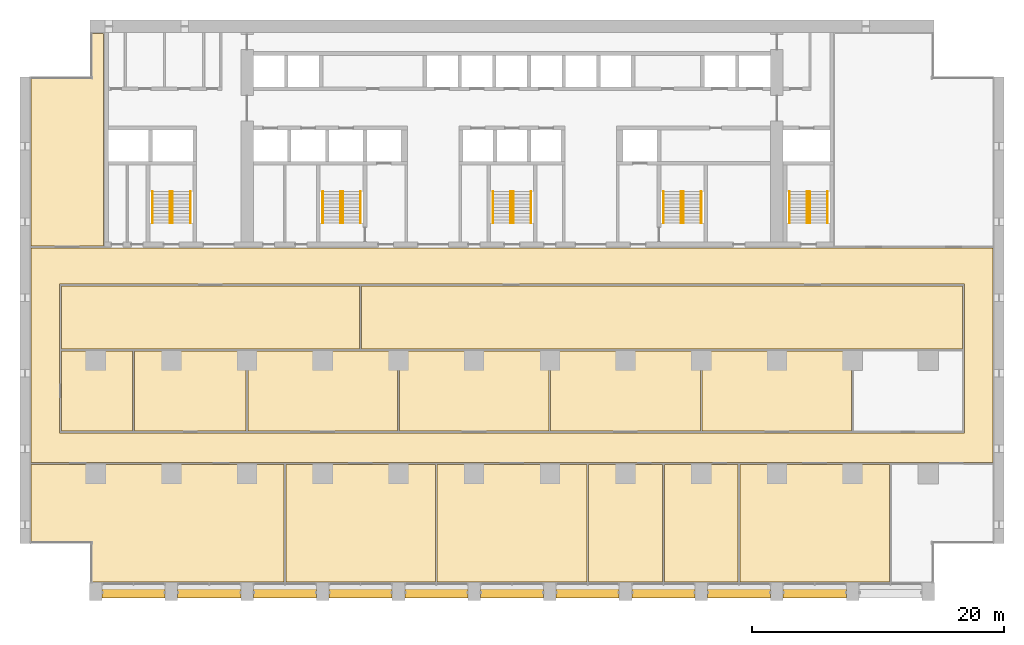
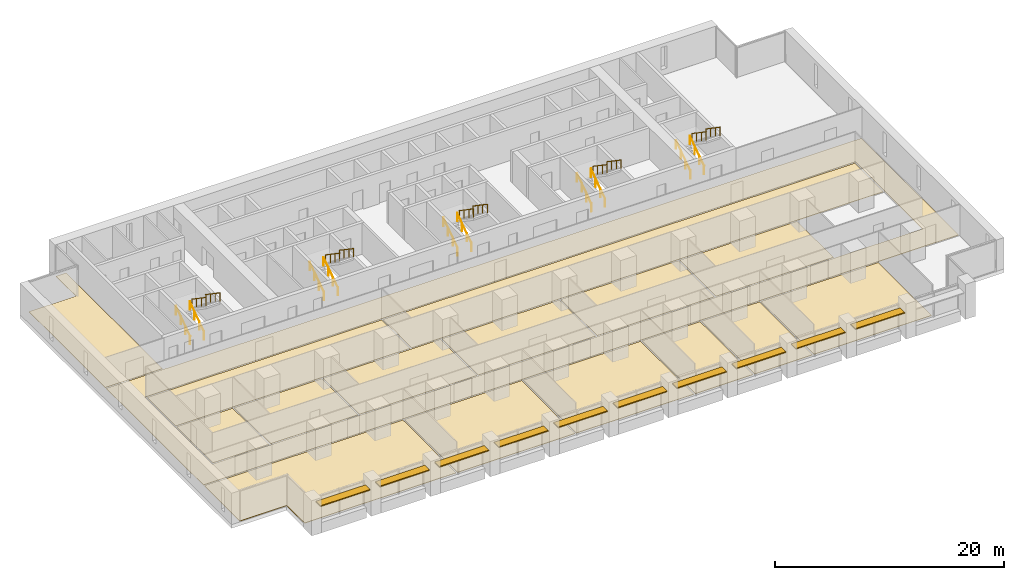
# One storey, part 17 of 18: 20 railings, 16 coverings, 10 shading devices, 5 elements without a shape of their own.
"""IFC4 building model written with IfcOpenShell, lengths in metres."""

import ifcopenshell
import ifcopenshell.guid

model = None  # the IFC model being written
_history = None  # IfcOwnerHistory: only IFC2X3 demands one
_inside = {}  # id of a spatial element -> (the spatial element, [elements in it])
_under = {}  # id of a project, library or spatial element -> (it, [spatial elements below it])
_declared = {}  # id of a project -> (the project, [libraries it declares])
_typed = {}  # id of a type object -> (the type object, [elements of that type])
_made_of = {}  # id of a material, layer set ... -> (it, [elements and type objects made of it])


def new_model(schema):
    """Start an empty IFC model of exactly this schema.

    Asked for "IFC4X3", IfcOpenShell would pick the latest addendum, in which some entities
    have other attributes; the version numbers below select the first issue.
    IFC2X3 requires an IfcOwnerHistory on every rooted entity: one is made here for all.
    """
    global model, _history
    if schema == "IFC4X3":
        model = ifcopenshell.file(schema_version=(4, 3, 0, 0))
    else:
        model = ifcopenshell.file(schema=schema)
    _inside.clear()
    _under.clear()
    _declared.clear()
    _typed.clear()
    _made_of.clear()
    _history = None
    if model.schema == "IFC2X3":
        org = make("IfcOrganization", Name="unknown")
        user = make(
            "IfcPersonAndOrganization",
            ThePerson=make("IfcPerson", FamilyName="unknown"),
            TheOrganization=org,
        )
        app = make(
            "IfcApplication",
            ApplicationDeveloper=org,
            Version="unknown",
            ApplicationFullName="unknown",
            ApplicationIdentifier="unknown",
        )
        _history = make(
            "IfcOwnerHistory",
            OwningUser=user,
            OwningApplication=app,
            ChangeAction="ADDED",
            CreationDate=0,
        )
    return model


def make(cls, **values):
    """One entity of the class cls with the attributes given. An attribute that is None is left unset."""
    return model.create_entity(
        cls, **{name: value for name, value in values.items() if value is not None}
    )


def rooted(cls, **values):
    """An entity with a GlobalId (a new one), such as an element, a storey or a relation."""
    return make(cls, GlobalId=ifcopenshell.guid.new(), OwnerHistory=_history, **values)


def si_unit(unit_type, name, prefix=None):
    """IfcSIUnit, for example si_unit("LENGTHUNIT", "METRE", prefix="MILLI")."""
    return make("IfcSIUnit", UnitType=unit_type, Prefix=prefix, Name=name)


def assignment(units):
    """IfcUnitAssignment: the units of a project."""
    return None if units is None else make("IfcUnitAssignment", Units=units)


def point(xyz):
    """IfcCartesianPoint."""
    return None if xyz is None else make("IfcCartesianPoint", Coordinates=xyz)


def direction(xyz):
    """IfcDirection."""
    return None if xyz is None else make("IfcDirection", DirectionRatios=xyz)


def frame(location, z_axis=None, x_axis=None):
    """IfcAxis2Placement3D, a coordinate frame: its origin and axes. An axis left out is left unset."""
    return make(
        "IfcAxis2Placement3D",
        Location=point(location),
        Axis=direction(z_axis),
        RefDirection=direction(x_axis),
    )


def frame_2d(location, x_axis=None):
    """IfcAxis2Placement2D, a coordinate frame in the plane: its origin and x axis."""
    return make(
        "IfcAxis2Placement2D", Location=point(location), RefDirection=direction(x_axis)
    )


def origin():
    """The frame at (0, 0, 0) with its axes left unset."""
    return frame((0.0, 0.0, 0.0))


def origin_2d():
    """The frame at (0, 0) in the plane with its x axis left unset."""
    return frame_2d((0.0, 0.0))


def place(relative_to, where):
    """IfcLocalPlacement: puts the frame where relative to a parent placement (None: the world)."""
    return make(
        "IfcLocalPlacement", PlacementRelTo=relative_to, RelativePlacement=where
    )


def context(
    kind, dimensions, precision=None, world=None, true_north=None, identifier=None
):
    """IfcGeometricRepresentationContext, for example the 3D "Model" context."""
    return make(
        "IfcGeometricRepresentationContext",
        ContextIdentifier=identifier,
        ContextType=kind,
        CoordinateSpaceDimension=dimensions,
        Precision=precision,
        WorldCoordinateSystem=world,
        TrueNorth=true_north,
    )


def subcontext(parent, identifier, kind, view, scale=None):
    """IfcGeometricRepresentationSubContext, for example "Body" below "Model"."""
    return make(
        "IfcGeometricRepresentationSubContext",
        ContextIdentifier=identifier,
        ContextType=kind,
        ParentContext=parent,
        TargetScale=scale,
        TargetView=view,
    )


def project(units=None, contexts=None):
    """IfcProject with its units and contexts."""
    return rooted(
        "IfcProject",
        Name="project",
        RepresentationContexts=contexts,
        UnitsInContext=assignment(units),
    )


def spatial(cls, under=None, at=None, **own):
    """A site, building, storey or space (cls), placed at a placement, below another one or the project."""
    s = rooted(cls, ObjectPlacement=at, **own)
    if under is not None:
        _under.setdefault(under.id(), (under, []))[1].append(s)
    return s


def polyline(points):
    """IfcPolyline through the points."""
    return make("IfcPolyline", Points=[point(p) for p in points])


def profile(cls, at=None, kind="AREA", **sizes):
    """A parametric profile (cls). Its sizes go by their IFC names, for example OverallWidth=200.0."""
    return make(cls, ProfileType=kind, Position=at, **sizes)


def rectangle(**sizes):
    """IfcRectangleProfileDef."""
    return profile("IfcRectangleProfileDef", **sizes)


def circle(**sizes):
    """IfcCircleProfileDef."""
    return profile("IfcCircleProfileDef", **sizes)


def outline(outer, holes=None, kind="AREA"):
    """IfcArbitraryClosedProfileDef: a profile drawn as a closed curve; with holes, ...WithVoids."""
    if holes is None:
        return make("IfcArbitraryClosedProfileDef", ProfileType=kind, OuterCurve=outer)
    return make(
        "IfcArbitraryProfileDefWithVoids",
        ProfileType=kind,
        OuterCurve=outer,
        InnerCurves=holes,
    )


def extrude(swept, where, along, depth):
    """IfcExtrudedAreaSolid: the profile swept, set in the frame where, extruded along a direction by depth."""
    return make(
        "IfcExtrudedAreaSolid",
        SweptArea=swept,
        Position=where,
        ExtrudedDirection=direction(along),
        Depth=depth,
    )


def shape(context_of_items, identifier, shape_type, items):
    """IfcShapeRepresentation: the items that make up one representation, for example the "Body"."""
    return make(
        "IfcShapeRepresentation",
        ContextOfItems=context_of_items,
        RepresentationIdentifier=identifier,
        RepresentationType=shape_type,
        Items=items,
    )


def material(Name=None, Category=None):
    """IfcMaterial."""
    return make("IfcMaterial", Name=Name, Category=Category)


def layer(
    of_material, thickness, ventilated=None, Name=None, Category=None, Priority=None
):
    """IfcMaterialLayer: one layer of a wall or slab, of a material (None: an air gap)."""
    return make(
        "IfcMaterialLayer",
        Material=of_material,
        LayerThickness=thickness,
        IsVentilated=ventilated,
        Name=Name,
        Category=Category,
        Priority=Priority,
    )


def layer_set(layers, Name=None):
    """IfcMaterialLayerSet."""
    return make("IfcMaterialLayerSet", MaterialLayers=layers, LayerSetName=Name)


def material_profile(
    of_material, cross_section, Name=None, Category=None, Priority=None
):
    """IfcMaterialProfile: a cross section and its material."""
    return make(
        "IfcMaterialProfile",
        Name=Name,
        Material=of_material,
        Profile=cross_section,
        Priority=Priority,
        Category=Category,
    )


def profile_set(profiles, Name=None, composite=None):
    """IfcMaterialProfileSet."""
    return make(
        "IfcMaterialProfileSet",
        Name=Name,
        MaterialProfiles=profiles,
        CompositeProfile=composite,
    )


def made_of(thing, what):
    """Note that an element or type object is made of a material, layer set ...; save() writes the relation."""
    if what is not None:
        _made_of.setdefault(what.id(), (what, []))[1].append(thing)
    return thing


def type_object(cls, material=None, **own):
    """A type object (cls), such as IfcWallType, which elements share."""
    return made_of(rooted(cls, **own), material)


def element(
    cls,
    number,
    at=None,
    inside=None,
    cuts=None,
    type_object=None,
    material=None,
    context=None,
    identifier="Body",
    shape_type=None,
    held_by="IfcProductDefinitionShape",
    body=None,
    shapes=None,
    **own,
):
    """One element of the class cls, such as IfcWall. Its Tag is "e" and its number.

    at: its placement. inside: the storey or other place that contains it. cuts: it is an
    opening in that element (IfcRelVoidsElement). A single representation is given by context,
    identifier, shape_type and body (its items); several are given by shapes. held_by: the class
    of the entity that holds the representations. save() writes the other relations.
    """
    e = rooted(cls, Tag="e%d" % number, ObjectPlacement=at, **own)
    if body is not None:
        shapes = [shape(context, identifier, shape_type, body)]
    if shapes is not None:
        e.Representation = make(held_by, Representations=shapes)
    if inside is not None:
        _inside.setdefault(inside.id(), (inside, []))[1].append(e)
    if cuts is not None:
        rooted(
            "IfcRelVoidsElement", RelatingBuildingElement=cuts, RelatedOpeningElement=e
        )
    if type_object is not None:
        _typed.setdefault(type_object.id(), (type_object, []))[1].append(e)
    return made_of(e, material)


def aggregate(whole, parts):
    """IfcRelAggregates: a whole, such as a stair, and the parts it consists of."""
    return rooted("IfcRelAggregates", RelatingObject=whole, RelatedObjects=parts)


def save(model, path):
    """Write the relations noted so far, then the file.

    IfcRelAggregates (storeys below a building ...), IfcRelContainedInSpatialStructure (elements
    in a storey), IfcRelDefinesByType, IfcRelAssociatesMaterial and IfcRelDeclares: one each for
    every whole, place, type object, material and project.
    """
    for whole, parts in _under.values():
        aggregate(whole, parts)
    for where, things in _inside.values():
        rooted(
            "IfcRelContainedInSpatialStructure",
            RelatedElements=things,
            RelatingStructure=where,
        )
    for kind, things in _typed.values():
        rooted("IfcRelDefinesByType", RelatedObjects=things, RelatingType=kind)
    for what, things in _made_of.values():
        rooted("IfcRelAssociatesMaterial", RelatedObjects=things, RelatingMaterial=what)
    for by, libraries in _declared.values():
        rooted("IfcRelDeclares", RelatingContext=by, RelatedDefinitions=libraries)
    model.write(path)


model = new_model("IFC4")

# Units and contexts
model_context = context("Model", 3, precision=1e-05, world=origin(), true_north=direction((0.0, 1.0)))
body_context = subcontext(model_context, "Body", "Model", "MODEL_VIEW")
ifc_project = project(units=[si_unit("LENGTHUNIT", "METRE"), si_unit("AREAUNIT", "SQUARE_METRE"), si_unit("VOLUMEUNIT", "CUBIC_METRE"), si_unit("PLANEANGLEUNIT", "RADIAN"), si_unit("MASSUNIT", "GRAM", prefix="KILO")], contexts=[model_context])

# Site, building, storey
site_placement = place(None, origin())
site = spatial("IfcSite", under=ifc_project, at=site_placement, CompositionType="ELEMENT")
building_placement = place(site_placement, origin())
building = spatial("IfcBuilding", under=site, at=building_placement, Name="Calvaro Tower", CompositionType="ELEMENT")
storey_placement = place(building_placement, frame((0.0, 0.0, 63.75)))
storey = spatial("IfcBuildingStorey", under=building, at=storey_placement, Name="L15", CompositionType="ELEMENT", Elevation=63.75)

# Shading devices
ifc_material_1 = material(Name="Anodised aluminium", Category="aluminium")
ifc_material_profile = material_profile(ifc_material_1, rectangle(XDim=0.800048828125, YDim=0.10009765625, at=origin_2d()), Name="Brise-soleil blade 800 x 100")
ifc_profile_set = profile_set([ifc_material_profile], Name="Anodised aluminium")
shading_device_type = type_object("IfcShadingDeviceType", Name="Brise-soleil blade 800 x 100", PredefinedType="JALOUSIE", material=ifc_profile_set)
for number, where, z_axis, x_axis, name in (
    (1, (6.5, 0.60009765625, 2.300048828125), (1.0, 0.0, 0.0), (0.0, 1.0, 0.0), "Brise-soleil blade 1"),
    (2, (12.5, 0.60009765625, 2.300048828125), (1.0, 0.0, 0.0), (0.0, 1.0, 0.0), "Brise-soleil blade 2"),
    (3, (18.5, 0.60009765625, 2.300048828125), (1.0, 0.0, 0.0), (0.0, 1.0, 0.0), "Brise-soleil blade 3"),
    (4, (24.5, 0.60009765625, 2.300048828125), (1.0, 0.0, 0.0), (0.0, 1.0, 0.0), "Brise-soleil blade 4"),
    (5, (30.5, 0.60009765625, 2.300048828125), (1.0, 0.0, 0.0), (0.0, 1.0, 0.0), "Brise-soleil blade 5"),
    (6, (36.5, 0.60009765625, 2.300048828125), (1.0, 0.0, 0.0), (0.0, 1.0, 0.0), "Brise-soleil blade 6"),
    (7, (42.5, 0.60009765625, 2.300048828125), (1.0, 0.0, 0.0), (0.0, 1.0, 0.0), "Brise-soleil blade 7"),
    (8, (48.5, 0.60009765625, 2.300048828125), (1.0, 0.0, 0.0), (0.0, 1.0, 0.0), "Brise-soleil blade 8"),
    (9, (54.5, 0.60009765625, 2.300048828125), (1.0, 0.0, 0.0), (0.0, 1.0, 0.0), "Brise-soleil blade 9"),
    (10, (60.5, 0.60009765625, 2.300048828125), (1.0, 0.0, 0.0), (0.0, 1.0, 0.0), "Brise-soleil blade 10"),
):
    element("IfcShadingDevice", number, at=place(storey_placement, frame(where, z_axis=z_axis, x_axis=x_axis)), inside=storey, type_object=shading_device_type, Name=name, PredefinedType="JALOUSIE", context=body_context, shape_type="SweptSolid", body=[
        extrude(rectangle(XDim=0.800048828125, YDim=0.10009765625, at=origin_2d()), origin(), (0.0, 0.0, 1.0), 5.0),
    ])

# Coverings
ifc_material_2 = material(Name="Cement screed with carpet tile finish")
ifc_layer = layer(ifc_material_2, 0.050048828125)
ifc_layer_set = layer_set([ifc_layer], Name="Cement screed with carpet tile finish")
covering_type = type_object("IfcCoveringType", Name="Floor finish 50", PredefinedType="FLOORING", material=ifc_layer_set)
covering_1_placement = place(storey_placement, origin())
element("IfcCovering", 11, at=covering_1_placement, inside=storey, type_object=covering_type, Name="Floor finish 12.01", PredefinedType="FLOORING", context=body_context, shape_type="SweptSolid", body=[
    extrude(outline(polyline([(0.8701171875, 10.919921875), (0.8701171875, 27.929931640625), (77.1298828125, 27.929931640625), (77.1298828125, 10.919921875), (0.8701171875, 10.919921875)]), holes=[polyline([(74.8701171875, 13.280029296875), (74.8701171875, 25.070068359375), (3.1298828125, 25.070068359375), (3.1298828125, 13.280029296875), (74.8701171875, 13.280029296875)])]), origin(), (0.0, 0.0, 1.0), 0.050048828125),
])
covering_2_placement = place(storey_placement, origin())
element("IfcCovering", 12, at=covering_2_placement, inside=storey, type_object=covering_type, Name="Floor finish 12.07", PredefinedType="FLOORING", context=body_context, shape_type="SweptSolid", body=[
    extrude(outline(polyline([(20.929931640625, 10.780029296875), (20.929931640625, 1.469970703125), (5.6201171875, 1.469970703125), (5.6201171875, 4.570068359375), (0.8701171875, 4.570068359375), (0.8701171875, 10.780029296875), (20.929931640625, 10.780029296875)])), origin(), (0.0, 0.0, 1.0), 0.050048828125),
])
covering_3_placement = place(storey_placement, origin())
element("IfcCovering", 13, at=covering_3_placement, inside=storey, type_object=covering_type, Name="Floor finish 12.02", PredefinedType="FLOORING", context=body_context, shape_type="SweptSolid", body=[
    extrude(outline(polyline([(21.070068359375, 10.780029296875), (32.929931640625, 10.780029296875), (32.929931640625, 1.469970703125), (21.070068359375, 1.469970703125), (21.070068359375, 10.780029296875)])), origin(), (0.0, 0.0, 1.0), 0.050048828125),
])
covering_4_placement = place(storey_placement, origin())
element("IfcCovering", 14, at=covering_4_placement, inside=storey, type_object=covering_type, Name="Floor finish 12.03", PredefinedType="FLOORING", context=body_context, shape_type="SweptSolid", body=[
    extrude(outline(polyline([(33.070068359375, 10.780029296875), (44.929931640625, 10.780029296875), (44.929931640625, 1.469970703125), (33.070068359375, 1.469970703125), (33.070068359375, 10.780029296875)])), origin(), (0.0, 0.0, 1.0), 0.050048828125),
])
covering_5_placement = place(storey_placement, origin())
element("IfcCovering", 15, at=covering_5_placement, inside=storey, type_object=covering_type, Name="Floor finish 12.04", PredefinedType="FLOORING", context=body_context, shape_type="SweptSolid", body=[
    extrude(outline(polyline([(45.070068359375, 10.780029296875), (50.929931640625, 10.780029296875), (50.929931640625, 1.469970703125), (45.070068359375, 1.469970703125), (45.070068359375, 10.780029296875)])), origin(), (0.0, 0.0, 1.0), 0.050048828125),
])
covering_6_placement = place(storey_placement, origin())
element("IfcCovering", 16, at=covering_6_placement, inside=storey, type_object=covering_type, Name="Floor finish 12.05", PredefinedType="FLOORING", context=body_context, shape_type="SweptSolid", body=[
    extrude(outline(polyline([(51.070068359375, 10.780029296875), (56.929931640625, 10.780029296875), (56.929931640625, 1.469970703125), (51.070068359375, 1.469970703125), (51.070068359375, 10.780029296875)])), origin(), (0.0, 0.0, 1.0), 0.050048828125),
])
covering_7_placement = place(storey_placement, origin())
element("IfcCovering", 17, at=covering_7_placement, inside=storey, type_object=covering_type, Name="Floor finish 12.06", PredefinedType="FLOORING", context=body_context, shape_type="SweptSolid", body=[
    extrude(outline(polyline([(57.070068359375, 10.780029296875), (68.929931640625, 10.780029296875), (68.929931640625, 1.469970703125), (57.070068359375, 1.469970703125), (57.070068359375, 10.780029296875)])), origin(), (0.0, 0.0, 1.0), 0.050048828125),
])
covering_8_placement = place(storey_placement, origin())
element("IfcCovering", 18, at=covering_8_placement, inside=storey, type_object=covering_type, Name="Floor finish 12.09", PredefinedType="FLOORING", context=body_context, shape_type="SweptSolid", body=[
    extrude(outline(polyline([(3.27001953125, 13.419921875), (3.27001953125, 19.780029296875), (8.929931640625, 19.780029296875), (8.929931640625, 13.419921875), (3.27001953125, 13.419921875)])), origin(), (0.0, 0.0, 1.0), 0.050048828125),
])
covering_9_placement = place(storey_placement, origin())
element("IfcCovering", 19, at=covering_9_placement, inside=storey, type_object=covering_type, Name="Floor finish 12.10", PredefinedType="FLOORING", context=body_context, shape_type="SweptSolid", body=[
    extrude(outline(polyline([(9.070068359375, 13.419921875), (9.070068359375, 19.780029296875), (17.929931640625, 19.780029296875), (17.929931640625, 13.419921875), (9.070068359375, 13.419921875)])), origin(), (0.0, 0.0, 1.0), 0.050048828125),
])
covering_10_placement = place(storey_placement, origin())
element("IfcCovering", 20, at=covering_10_placement, inside=storey, type_object=covering_type, Name="Floor finish 12.11", PredefinedType="FLOORING", context=body_context, shape_type="SweptSolid", body=[
    extrude(outline(polyline([(18.070068359375, 13.419921875), (18.070068359375, 19.780029296875), (29.929931640625, 19.780029296875), (29.929931640625, 13.419921875), (18.070068359375, 13.419921875)])), origin(), (0.0, 0.0, 1.0), 0.050048828125),
])
covering_11_placement = place(storey_placement, origin())
element("IfcCovering", 21, at=covering_11_placement, inside=storey, type_object=covering_type, Name="Floor finish 12.12", PredefinedType="FLOORING", context=body_context, shape_type="SweptSolid", body=[
    extrude(outline(polyline([(30.070068359375, 13.419921875), (30.070068359375, 19.780029296875), (41.929931640625, 19.780029296875), (41.929931640625, 13.419921875), (30.070068359375, 13.419921875)])), origin(), (0.0, 0.0, 1.0), 0.050048828125),
])
covering_12_placement = place(storey_placement, origin())
element("IfcCovering", 22, at=covering_12_placement, inside=storey, type_object=covering_type, Name="Floor finish 12.13", PredefinedType="FLOORING", context=body_context, shape_type="SweptSolid", body=[
    extrude(outline(polyline([(42.070068359375, 13.419921875), (42.070068359375, 19.780029296875), (53.929931640625, 19.780029296875), (53.929931640625, 13.419921875), (42.070068359375, 13.419921875)])), origin(), (0.0, 0.0, 1.0), 0.050048828125),
])
covering_13_placement = place(storey_placement, origin())
element("IfcCovering", 23, at=covering_13_placement, inside=storey, type_object=covering_type, Name="Floor finish 12.14", PredefinedType="FLOORING", context=body_context, shape_type="SweptSolid", body=[
    extrude(outline(polyline([(54.070068359375, 13.419921875), (54.070068359375, 19.780029296875), (65.929931640625, 19.780029296875), (65.929931640625, 13.419921875), (54.070068359375, 13.419921875)])), origin(), (0.0, 0.0, 1.0), 0.050048828125),
])
covering_14_placement = place(storey_placement, origin())
element("IfcCovering", 24, at=covering_14_placement, inside=storey, type_object=covering_type, Name="Floor finish 12.16", PredefinedType="FLOORING", context=body_context, shape_type="SweptSolid", body=[
    extrude(outline(polyline([(3.27001953125, 19.919921875), (3.27001953125, 24.929931640625), (26.929931640625, 24.929931640625), (26.929931640625, 19.919921875), (3.27001953125, 19.919921875)])), origin(), (0.0, 0.0, 1.0), 0.050048828125),
])
covering_15_placement = place(storey_placement, origin())
element("IfcCovering", 25, at=covering_15_placement, inside=storey, type_object=covering_type, Name="Floor finish 12.17", PredefinedType="FLOORING", context=body_context, shape_type="SweptSolid", body=[
    extrude(outline(polyline([(27.070068359375, 19.919921875), (27.070068359375, 24.929931640625), (74.72998046875, 24.929931640625), (74.72998046875, 19.919921875), (27.070068359375, 19.919921875)])), origin(), (0.0, 0.0, 1.0), 0.050048828125),
])
covering_16_placement = place(storey_placement, origin())
element("IfcCovering", 26, at=covering_16_placement, inside=storey, type_object=covering_type, Name="Floor finish 12.18", PredefinedType="FLOORING", context=body_context, shape_type="SweptSolid", body=[
    extrude(outline(polyline([(6.6298828125, 28.070068359375), (0.8701171875, 28.070068359375), (0.8701171875, 41.429931640625), (5.6201171875, 41.429931640625), (5.6201171875, 44.929931640625), (6.6298828125, 44.929931640625), (6.6298828125, 28.070068359375)])), origin(), (0.0, 0.0, 1.0), 0.050048828125),
])

# Stair, railings
ifc_material_3 = material(Name="Concrete C40/50", Category="concrete")
stair_type = type_object("IfcStairType", Name="Exit stair 1400 2 flights", PredefinedType="HALF_TURN_STAIR", material=ifc_material_3)
stair_1_placement = place(storey_placement, origin())
stair_1 = element("IfcStair", 27, at=stair_1_placement, inside=storey, type_object=stair_type, Name="Exit stair S1", PredefinedType="HALF_TURN_STAIR")
ifc_material_4 = material(Name="Stainless steel", Category="steel")
railing_type = type_object("IfcRailingType", Name="Stair handrail", PredefinedType="HANDRAIL", material=ifc_material_4)
railing_1_placement = place(storey_placement, frame((11.89990234375, 29.89990234375, 0.17041015625)))
railing_1 = element("IfcRailing", 28, at=railing_1_placement, type_object=railing_type, Name="Exit stair 1 handrail", PredefinedType="HANDRAIL", context=body_context, shape_type="SweptSolid", body=[
    extrude(circle(Radius=0.02392578125, at=origin_2d()), frame((0.0, 0.0, 0.8759765625), z_axis=(0.0, 0.826220514629, 0.563346839174), x_axis=(-1.0, 0.0, 0.0)), (0.0, 0.0, 1.0), 3.02587890625),
    extrude(circle(Radius=0.02099609375, at=origin_2d()), frame((0.0, 0.017333984375, 0.01171875)), (0.0, 0.0, 1.0), 0.851806640625),
    extrude(circle(Radius=0.02099609375, at=origin_2d()), frame((0.0, 0.833251953125, 0.568115234375)), (0.0, 0.0, 1.0), 0.851806640625),
    extrude(circle(Radius=0.02099609375, at=origin_2d()), frame((0.0, 1.666748046875, 1.136474609375)), (0.0, 0.0, 1.0), 0.851806640625),
    extrude(circle(Radius=0.02099609375, at=origin_2d()), frame((0.0, 2.482666015625, 1.69287109375)), (0.0, 0.0, 1.0), 0.851806640625),
])
railing_2_placement = place(storey_placement, frame((10.5, 29.89990234375, 0.17041015625)))
railing_2 = element("IfcRailing", 29, at=railing_2_placement, type_object=railing_type, Name="Exit stair 1 handrail", PredefinedType="HANDRAIL", context=body_context, shape_type="SweptSolid", body=[
    extrude(circle(Radius=0.02392578125, at=origin_2d()), frame((0.0, 0.0, 0.8759765625), z_axis=(0.0, 0.826220514629, 0.563346839174), x_axis=(-1.0, 0.0, 0.0)), (0.0, 0.0, 1.0), 3.02587890625),
    extrude(circle(Radius=0.02099609375, at=origin_2d()), frame((0.0, 0.017333984375, 0.01171875)), (0.0, 0.0, 1.0), 0.851806640625),
    extrude(circle(Radius=0.02099609375, at=origin_2d()), frame((0.0, 0.833251953125, 0.568115234375)), (0.0, 0.0, 1.0), 0.851806640625),
    extrude(circle(Radius=0.02099609375, at=origin_2d()), frame((0.0, 1.666748046875, 1.136474609375)), (0.0, 0.0, 1.0), 0.851806640625),
    extrude(circle(Radius=0.02099609375, at=origin_2d()), frame((0.0, 2.482666015625, 1.69287109375)), (0.0, 0.0, 1.0), 0.851806640625),
])
railing_3_placement = place(storey_placement, frame((12.10009765625, 32.39990234375, 2.04541015625)))
railing_3 = element("IfcRailing", 30, at=railing_3_placement, type_object=railing_type, Name="Exit stair 1 handrail", PredefinedType="HANDRAIL", context=body_context, shape_type="SweptSolid", body=[
    extrude(circle(Radius=0.02392578125, at=origin_2d()), frame((0.0, 0.0, 0.8759765625), z_axis=(0.0, -0.826220514629, 0.563346839174), x_axis=(1.0, 0.0, 0.0)), (0.0, 0.0, 1.0), 3.02587890625),
    extrude(circle(Radius=0.02099609375, at=origin_2d()), frame((0.0, -0.017333984375, 0.01171875)), (0.0, 0.0, 1.0), 0.851806640625),
    extrude(circle(Radius=0.02099609375, at=origin_2d()), frame((0.0, -0.833251953125, 0.568115234375)), (0.0, 0.0, 1.0), 0.851806640625),
    extrude(circle(Radius=0.02099609375, at=origin_2d()), frame((0.0, -1.666748046875, 1.136474609375)), (0.0, 0.0, 1.0), 0.851806640625),
    extrude(circle(Radius=0.02099609375, at=origin_2d()), frame((0.0, -2.482666015625, 1.69287109375)), (0.0, 0.0, 1.0), 0.851806640625),
])
railing_4_placement = place(storey_placement, frame((13.5, 32.39990234375, 2.04541015625)))
railing_4 = element("IfcRailing", 31, at=railing_4_placement, type_object=railing_type, Name="Exit stair 1 handrail", PredefinedType="HANDRAIL", context=body_context, shape_type="SweptSolid", body=[
    extrude(circle(Radius=0.02392578125, at=origin_2d()), frame((0.0, 0.0, 0.8759765625), z_axis=(0.0, -0.826220514629, 0.563346839174), x_axis=(1.0, 0.0, 0.0)), (0.0, 0.0, 1.0), 3.02587890625),
    extrude(circle(Radius=0.02099609375, at=origin_2d()), frame((0.0, -0.017333984375, 0.01171875)), (0.0, 0.0, 1.0), 0.851806640625),
    extrude(circle(Radius=0.02099609375, at=origin_2d()), frame((0.0, -0.833251953125, 0.568115234375)), (0.0, 0.0, 1.0), 0.851806640625),
    extrude(circle(Radius=0.02099609375, at=origin_2d()), frame((0.0, -1.666748046875, 1.136474609375)), (0.0, 0.0, 1.0), 0.851806640625),
    extrude(circle(Radius=0.02099609375, at=origin_2d()), frame((0.0, -2.482666015625, 1.69287109375)), (0.0, 0.0, 1.0), 0.851806640625),
])
aggregate(stair_1, [railing_1, railing_2, railing_3, railing_4])

stair_2_placement = place(storey_placement, origin())
stair_2 = element("IfcStair", 32, at=stair_2_placement, inside=storey, type_object=stair_type, Name="Exit stair S2", PredefinedType="HALF_TURN_STAIR")
railing_5_placement = place(storey_placement, frame((25.39990234375, 29.89990234375, 0.17041015625)))
railing_5 = element("IfcRailing", 33, at=railing_5_placement, type_object=railing_type, Name="Exit stair 2 handrail", PredefinedType="HANDRAIL", context=body_context, shape_type="SweptSolid", body=[
    extrude(circle(Radius=0.02392578125, at=origin_2d()), frame((0.0, 0.0, 0.8759765625), z_axis=(0.0, 0.826220514629, 0.563346839174), x_axis=(-1.0, 0.0, 0.0)), (0.0, 0.0, 1.0), 3.02587890625),
    extrude(circle(Radius=0.02099609375, at=origin_2d()), frame((0.0, 0.017333984375, 0.01171875)), (0.0, 0.0, 1.0), 0.851806640625),
    extrude(circle(Radius=0.02099609375, at=origin_2d()), frame((0.0, 0.833251953125, 0.568115234375)), (0.0, 0.0, 1.0), 0.851806640625),
    extrude(circle(Radius=0.02099609375, at=origin_2d()), frame((0.0, 1.666748046875, 1.136474609375)), (0.0, 0.0, 1.0), 0.851806640625),
    extrude(circle(Radius=0.02099609375, at=origin_2d()), frame((0.0, 2.482666015625, 1.69287109375)), (0.0, 0.0, 1.0), 0.851806640625),
])
railing_6_placement = place(storey_placement, frame((24.0, 29.89990234375, 0.17041015625)))
railing_6 = element("IfcRailing", 34, at=railing_6_placement, type_object=railing_type, Name="Exit stair 2 handrail", PredefinedType="HANDRAIL", context=body_context, shape_type="SweptSolid", body=[
    extrude(circle(Radius=0.02392578125, at=origin_2d()), frame((0.0, 0.0, 0.8759765625), z_axis=(0.0, 0.826220514629, 0.563346839174), x_axis=(-1.0, 0.0, 0.0)), (0.0, 0.0, 1.0), 3.02587890625),
    extrude(circle(Radius=0.02099609375, at=origin_2d()), frame((0.0, 0.017333984375, 0.01171875)), (0.0, 0.0, 1.0), 0.851806640625),
    extrude(circle(Radius=0.02099609375, at=origin_2d()), frame((0.0, 0.833251953125, 0.568115234375)), (0.0, 0.0, 1.0), 0.851806640625),
    extrude(circle(Radius=0.02099609375, at=origin_2d()), frame((0.0, 1.666748046875, 1.136474609375)), (0.0, 0.0, 1.0), 0.851806640625),
    extrude(circle(Radius=0.02099609375, at=origin_2d()), frame((0.0, 2.482666015625, 1.69287109375)), (0.0, 0.0, 1.0), 0.851806640625),
])
railing_7_placement = place(storey_placement, frame((25.60009765625, 32.39990234375, 2.04541015625)))
railing_7 = element("IfcRailing", 35, at=railing_7_placement, type_object=railing_type, Name="Exit stair 2 handrail", PredefinedType="HANDRAIL", context=body_context, shape_type="SweptSolid", body=[
    extrude(circle(Radius=0.02392578125, at=origin_2d()), frame((0.0, 0.0, 0.8759765625), z_axis=(0.0, -0.826220514629, 0.563346839174), x_axis=(1.0, 0.0, 0.0)), (0.0, 0.0, 1.0), 3.02587890625),
    extrude(circle(Radius=0.02099609375, at=origin_2d()), frame((0.0, -0.017333984375, 0.01171875)), (0.0, 0.0, 1.0), 0.851806640625),
    extrude(circle(Radius=0.02099609375, at=origin_2d()), frame((0.0, -0.833251953125, 0.568115234375)), (0.0, 0.0, 1.0), 0.851806640625),
    extrude(circle(Radius=0.02099609375, at=origin_2d()), frame((0.0, -1.666748046875, 1.136474609375)), (0.0, 0.0, 1.0), 0.851806640625),
    extrude(circle(Radius=0.02099609375, at=origin_2d()), frame((0.0, -2.482666015625, 1.69287109375)), (0.0, 0.0, 1.0), 0.851806640625),
])
railing_8_placement = place(storey_placement, frame((27.0, 32.39990234375, 2.04541015625)))
railing_8 = element("IfcRailing", 36, at=railing_8_placement, type_object=railing_type, Name="Exit stair 2 handrail", PredefinedType="HANDRAIL", context=body_context, shape_type="SweptSolid", body=[
    extrude(circle(Radius=0.02392578125, at=origin_2d()), frame((0.0, 0.0, 0.8759765625), z_axis=(0.0, -0.826220514629, 0.563346839174), x_axis=(1.0, 0.0, 0.0)), (0.0, 0.0, 1.0), 3.02587890625),
    extrude(circle(Radius=0.02099609375, at=origin_2d()), frame((0.0, -0.017333984375, 0.01171875)), (0.0, 0.0, 1.0), 0.851806640625),
    extrude(circle(Radius=0.02099609375, at=origin_2d()), frame((0.0, -0.833251953125, 0.568115234375)), (0.0, 0.0, 1.0), 0.851806640625),
    extrude(circle(Radius=0.02099609375, at=origin_2d()), frame((0.0, -1.666748046875, 1.136474609375)), (0.0, 0.0, 1.0), 0.851806640625),
    extrude(circle(Radius=0.02099609375, at=origin_2d()), frame((0.0, -2.482666015625, 1.69287109375)), (0.0, 0.0, 1.0), 0.851806640625),
])
aggregate(stair_2, [railing_5, railing_6, railing_7, railing_8])

stair_3_placement = place(storey_placement, origin())
stair_3 = element("IfcStair", 37, at=stair_3_placement, inside=storey, type_object=stair_type, Name="Exit stair S3", PredefinedType="HALF_TURN_STAIR")
railing_9_placement = place(storey_placement, frame((38.89990234375, 29.89990234375, 0.17041015625)))
railing_9 = element("IfcRailing", 38, at=railing_9_placement, type_object=railing_type, Name="Exit stair 3 handrail", PredefinedType="HANDRAIL", context=body_context, shape_type="SweptSolid", body=[
    extrude(circle(Radius=0.02392578125, at=origin_2d()), frame((0.0, 0.0, 0.8759765625), z_axis=(0.0, 0.826220514629, 0.563346839174), x_axis=(-1.0, 0.0, 0.0)), (0.0, 0.0, 1.0), 3.02587890625),
    extrude(circle(Radius=0.02099609375, at=origin_2d()), frame((0.0, 0.017333984375, 0.01171875)), (0.0, 0.0, 1.0), 0.851806640625),
    extrude(circle(Radius=0.02099609375, at=origin_2d()), frame((0.0, 0.833251953125, 0.568115234375)), (0.0, 0.0, 1.0), 0.851806640625),
    extrude(circle(Radius=0.02099609375, at=origin_2d()), frame((0.0, 1.666748046875, 1.136474609375)), (0.0, 0.0, 1.0), 0.851806640625),
    extrude(circle(Radius=0.02099609375, at=origin_2d()), frame((0.0, 2.482666015625, 1.69287109375)), (0.0, 0.0, 1.0), 0.851806640625),
])
railing_10_placement = place(storey_placement, frame((37.5, 29.89990234375, 0.17041015625)))
railing_10 = element("IfcRailing", 39, at=railing_10_placement, type_object=railing_type, Name="Exit stair 3 handrail", PredefinedType="HANDRAIL", context=body_context, shape_type="SweptSolid", body=[
    extrude(circle(Radius=0.02392578125, at=origin_2d()), frame((0.0, 0.0, 0.8759765625), z_axis=(0.0, 0.826220514629, 0.563346839174), x_axis=(-1.0, 0.0, 0.0)), (0.0, 0.0, 1.0), 3.02587890625),
    extrude(circle(Radius=0.02099609375, at=origin_2d()), frame((0.0, 0.017333984375, 0.01171875)), (0.0, 0.0, 1.0), 0.851806640625),
    extrude(circle(Radius=0.02099609375, at=origin_2d()), frame((0.0, 0.833251953125, 0.568115234375)), (0.0, 0.0, 1.0), 0.851806640625),
    extrude(circle(Radius=0.02099609375, at=origin_2d()), frame((0.0, 1.666748046875, 1.136474609375)), (0.0, 0.0, 1.0), 0.851806640625),
    extrude(circle(Radius=0.02099609375, at=origin_2d()), frame((0.0, 2.482666015625, 1.69287109375)), (0.0, 0.0, 1.0), 0.851806640625),
])
railing_11_placement = place(storey_placement, frame((39.10009765625, 32.39990234375, 2.04541015625)))
railing_11 = element("IfcRailing", 40, at=railing_11_placement, type_object=railing_type, Name="Exit stair 3 handrail", PredefinedType="HANDRAIL", context=body_context, shape_type="SweptSolid", body=[
    extrude(circle(Radius=0.02392578125, at=origin_2d()), frame((0.0, 0.0, 0.8759765625), z_axis=(0.0, -0.826220514629, 0.563346839174), x_axis=(1.0, 0.0, 0.0)), (0.0, 0.0, 1.0), 3.02587890625),
    extrude(circle(Radius=0.02099609375, at=origin_2d()), frame((0.0, -0.017333984375, 0.01171875)), (0.0, 0.0, 1.0), 0.851806640625),
    extrude(circle(Radius=0.02099609375, at=origin_2d()), frame((0.0, -0.833251953125, 0.568115234375)), (0.0, 0.0, 1.0), 0.851806640625),
    extrude(circle(Radius=0.02099609375, at=origin_2d()), frame((0.0, -1.666748046875, 1.136474609375)), (0.0, 0.0, 1.0), 0.851806640625),
    extrude(circle(Radius=0.02099609375, at=origin_2d()), frame((0.0, -2.482666015625, 1.69287109375)), (0.0, 0.0, 1.0), 0.851806640625),
])
railing_12_placement = place(storey_placement, frame((40.5, 32.39990234375, 2.04541015625)))
railing_12 = element("IfcRailing", 41, at=railing_12_placement, type_object=railing_type, Name="Exit stair 3 handrail", PredefinedType="HANDRAIL", context=body_context, shape_type="SweptSolid", body=[
    extrude(circle(Radius=0.02392578125, at=origin_2d()), frame((0.0, 0.0, 0.8759765625), z_axis=(0.0, -0.826220514629, 0.563346839174), x_axis=(1.0, 0.0, 0.0)), (0.0, 0.0, 1.0), 3.02587890625),
    extrude(circle(Radius=0.02099609375, at=origin_2d()), frame((0.0, -0.017333984375, 0.01171875)), (0.0, 0.0, 1.0), 0.851806640625),
    extrude(circle(Radius=0.02099609375, at=origin_2d()), frame((0.0, -0.833251953125, 0.568115234375)), (0.0, 0.0, 1.0), 0.851806640625),
    extrude(circle(Radius=0.02099609375, at=origin_2d()), frame((0.0, -1.666748046875, 1.136474609375)), (0.0, 0.0, 1.0), 0.851806640625),
    extrude(circle(Radius=0.02099609375, at=origin_2d()), frame((0.0, -2.482666015625, 1.69287109375)), (0.0, 0.0, 1.0), 0.851806640625),
])
aggregate(stair_3, [railing_9, railing_10, railing_11, railing_12])

stair_4_placement = place(storey_placement, origin())
stair_4 = element("IfcStair", 42, at=stair_4_placement, inside=storey, type_object=stair_type, Name="Exit stair S4", PredefinedType="HALF_TURN_STAIR")
railing_13_placement = place(storey_placement, frame((52.39990234375, 29.89990234375, 0.17041015625)))
railing_13 = element("IfcRailing", 43, at=railing_13_placement, type_object=railing_type, Name="Exit stair 4 handrail", PredefinedType="HANDRAIL", context=body_context, shape_type="SweptSolid", body=[
    extrude(circle(Radius=0.02392578125, at=origin_2d()), frame((0.0, 0.0, 0.8759765625), z_axis=(0.0, 0.826220514629, 0.563346839174), x_axis=(-1.0, 0.0, 0.0)), (0.0, 0.0, 1.0), 3.02587890625),
    extrude(circle(Radius=0.02099609375, at=origin_2d()), frame((0.0, 0.017333984375, 0.01171875)), (0.0, 0.0, 1.0), 0.851806640625),
    extrude(circle(Radius=0.02099609375, at=origin_2d()), frame((0.0, 0.833251953125, 0.568115234375)), (0.0, 0.0, 1.0), 0.851806640625),
    extrude(circle(Radius=0.02099609375, at=origin_2d()), frame((0.0, 1.666748046875, 1.136474609375)), (0.0, 0.0, 1.0), 0.851806640625),
    extrude(circle(Radius=0.02099609375, at=origin_2d()), frame((0.0, 2.482666015625, 1.69287109375)), (0.0, 0.0, 1.0), 0.851806640625),
])
railing_14_placement = place(storey_placement, frame((51.0, 29.89990234375, 0.17041015625)))
railing_14 = element("IfcRailing", 44, at=railing_14_placement, type_object=railing_type, Name="Exit stair 4 handrail", PredefinedType="HANDRAIL", context=body_context, shape_type="SweptSolid", body=[
    extrude(circle(Radius=0.02392578125, at=origin_2d()), frame((0.0, 0.0, 0.8759765625), z_axis=(0.0, 0.826220514629, 0.563346839174), x_axis=(-1.0, 0.0, 0.0)), (0.0, 0.0, 1.0), 3.02587890625),
    extrude(circle(Radius=0.02099609375, at=origin_2d()), frame((0.0, 0.017333984375, 0.01171875)), (0.0, 0.0, 1.0), 0.851806640625),
    extrude(circle(Radius=0.02099609375, at=origin_2d()), frame((0.0, 0.833251953125, 0.568115234375)), (0.0, 0.0, 1.0), 0.851806640625),
    extrude(circle(Radius=0.02099609375, at=origin_2d()), frame((0.0, 1.666748046875, 1.136474609375)), (0.0, 0.0, 1.0), 0.851806640625),
    extrude(circle(Radius=0.02099609375, at=origin_2d()), frame((0.0, 2.482666015625, 1.69287109375)), (0.0, 0.0, 1.0), 0.851806640625),
])
railing_15_placement = place(storey_placement, frame((52.60009765625, 32.39990234375, 2.04541015625)))
railing_15 = element("IfcRailing", 45, at=railing_15_placement, type_object=railing_type, Name="Exit stair 4 handrail", PredefinedType="HANDRAIL", context=body_context, shape_type="SweptSolid", body=[
    extrude(circle(Radius=0.02392578125, at=origin_2d()), frame((0.0, 0.0, 0.8759765625), z_axis=(0.0, -0.826220514629, 0.563346839174), x_axis=(1.0, 0.0, 0.0)), (0.0, 0.0, 1.0), 3.02587890625),
    extrude(circle(Radius=0.02099609375, at=origin_2d()), frame((0.0, -0.017333984375, 0.01171875)), (0.0, 0.0, 1.0), 0.851806640625),
    extrude(circle(Radius=0.02099609375, at=origin_2d()), frame((0.0, -0.833251953125, 0.568115234375)), (0.0, 0.0, 1.0), 0.851806640625),
    extrude(circle(Radius=0.02099609375, at=origin_2d()), frame((0.0, -1.666748046875, 1.136474609375)), (0.0, 0.0, 1.0), 0.851806640625),
    extrude(circle(Radius=0.02099609375, at=origin_2d()), frame((0.0, -2.482666015625, 1.69287109375)), (0.0, 0.0, 1.0), 0.851806640625),
])
railing_16_placement = place(storey_placement, frame((54.0, 32.39990234375, 2.04541015625)))
railing_16 = element("IfcRailing", 46, at=railing_16_placement, type_object=railing_type, Name="Exit stair 4 handrail", PredefinedType="HANDRAIL", context=body_context, shape_type="SweptSolid", body=[
    extrude(circle(Radius=0.02392578125, at=origin_2d()), frame((0.0, 0.0, 0.8759765625), z_axis=(0.0, -0.826220514629, 0.563346839174), x_axis=(1.0, 0.0, 0.0)), (0.0, 0.0, 1.0), 3.02587890625),
    extrude(circle(Radius=0.02099609375, at=origin_2d()), frame((0.0, -0.017333984375, 0.01171875)), (0.0, 0.0, 1.0), 0.851806640625),
    extrude(circle(Radius=0.02099609375, at=origin_2d()), frame((0.0, -0.833251953125, 0.568115234375)), (0.0, 0.0, 1.0), 0.851806640625),
    extrude(circle(Radius=0.02099609375, at=origin_2d()), frame((0.0, -1.666748046875, 1.136474609375)), (0.0, 0.0, 1.0), 0.851806640625),
    extrude(circle(Radius=0.02099609375, at=origin_2d()), frame((0.0, -2.482666015625, 1.69287109375)), (0.0, 0.0, 1.0), 0.851806640625),
])
aggregate(stair_4, [railing_13, railing_14, railing_15, railing_16])

stair_5_placement = place(storey_placement, origin())
stair_5 = element("IfcStair", 47, at=stair_5_placement, inside=storey, type_object=stair_type, Name="Exit stair S5", PredefinedType="HALF_TURN_STAIR")
railing_17_placement = place(storey_placement, frame((62.39990234375, 29.89990234375, 0.17041015625)))
railing_17 = element("IfcRailing", 48, at=railing_17_placement, type_object=railing_type, Name="Exit stair 5 handrail", PredefinedType="HANDRAIL", context=body_context, shape_type="SweptSolid", body=[
    extrude(circle(Radius=0.02392578125, at=origin_2d()), frame((0.0, 0.0, 0.8759765625), z_axis=(0.0, 0.826220514629, 0.563346839174), x_axis=(-1.0, 0.0, 0.0)), (0.0, 0.0, 1.0), 3.02587890625),
    extrude(circle(Radius=0.02099609375, at=origin_2d()), frame((0.0, 0.017333984375, 0.01171875)), (0.0, 0.0, 1.0), 0.851806640625),
    extrude(circle(Radius=0.02099609375, at=origin_2d()), frame((0.0, 0.833251953125, 0.568115234375)), (0.0, 0.0, 1.0), 0.851806640625),
    extrude(circle(Radius=0.02099609375, at=origin_2d()), frame((0.0, 1.666748046875, 1.136474609375)), (0.0, 0.0, 1.0), 0.851806640625),
    extrude(circle(Radius=0.02099609375, at=origin_2d()), frame((0.0, 2.482666015625, 1.69287109375)), (0.0, 0.0, 1.0), 0.851806640625),
])
railing_18_placement = place(storey_placement, frame((61.0, 29.89990234375, 0.17041015625)))
railing_18 = element("IfcRailing", 49, at=railing_18_placement, type_object=railing_type, Name="Exit stair 5 handrail", PredefinedType="HANDRAIL", context=body_context, shape_type="SweptSolid", body=[
    extrude(circle(Radius=0.02392578125, at=origin_2d()), frame((0.0, 0.0, 0.8759765625), z_axis=(0.0, 0.826220514629, 0.563346839174), x_axis=(-1.0, 0.0, 0.0)), (0.0, 0.0, 1.0), 3.02587890625),
    extrude(circle(Radius=0.02099609375, at=origin_2d()), frame((0.0, 0.017333984375, 0.01171875)), (0.0, 0.0, 1.0), 0.851806640625),
    extrude(circle(Radius=0.02099609375, at=origin_2d()), frame((0.0, 0.833251953125, 0.568115234375)), (0.0, 0.0, 1.0), 0.851806640625),
    extrude(circle(Radius=0.02099609375, at=origin_2d()), frame((0.0, 1.666748046875, 1.136474609375)), (0.0, 0.0, 1.0), 0.851806640625),
    extrude(circle(Radius=0.02099609375, at=origin_2d()), frame((0.0, 2.482666015625, 1.69287109375)), (0.0, 0.0, 1.0), 0.851806640625),
])
railing_19_placement = place(storey_placement, frame((62.60009765625, 32.39990234375, 2.04541015625)))
railing_19 = element("IfcRailing", 50, at=railing_19_placement, type_object=railing_type, Name="Exit stair 5 handrail", PredefinedType="HANDRAIL", context=body_context, shape_type="SweptSolid", body=[
    extrude(circle(Radius=0.02392578125, at=origin_2d()), frame((0.0, 0.0, 0.8759765625), z_axis=(0.0, -0.826220514629, 0.563346839174), x_axis=(1.0, 0.0, 0.0)), (0.0, 0.0, 1.0), 3.02587890625),
    extrude(circle(Radius=0.02099609375, at=origin_2d()), frame((0.0, -0.017333984375, 0.01171875)), (0.0, 0.0, 1.0), 0.851806640625),
    extrude(circle(Radius=0.02099609375, at=origin_2d()), frame((0.0, -0.833251953125, 0.568115234375)), (0.0, 0.0, 1.0), 0.851806640625),
    extrude(circle(Radius=0.02099609375, at=origin_2d()), frame((0.0, -1.666748046875, 1.136474609375)), (0.0, 0.0, 1.0), 0.851806640625),
    extrude(circle(Radius=0.02099609375, at=origin_2d()), frame((0.0, -2.482666015625, 1.69287109375)), (0.0, 0.0, 1.0), 0.851806640625),
])
railing_20_placement = place(storey_placement, frame((64.0, 32.39990234375, 2.04541015625)))
railing_20 = element("IfcRailing", 51, at=railing_20_placement, type_object=railing_type, Name="Exit stair 5 handrail", PredefinedType="HANDRAIL", context=body_context, shape_type="SweptSolid", body=[
    extrude(circle(Radius=0.02392578125, at=origin_2d()), frame((0.0, 0.0, 0.8759765625), z_axis=(0.0, -0.826220514629, 0.563346839174), x_axis=(1.0, 0.0, 0.0)), (0.0, 0.0, 1.0), 3.02587890625),
    extrude(circle(Radius=0.02099609375, at=origin_2d()), frame((0.0, -0.017333984375, 0.01171875)), (0.0, 0.0, 1.0), 0.851806640625),
    extrude(circle(Radius=0.02099609375, at=origin_2d()), frame((0.0, -0.833251953125, 0.568115234375)), (0.0, 0.0, 1.0), 0.851806640625),
    extrude(circle(Radius=0.02099609375, at=origin_2d()), frame((0.0, -1.666748046875, 1.136474609375)), (0.0, 0.0, 1.0), 0.851806640625),
    extrude(circle(Radius=0.02099609375, at=origin_2d()), frame((0.0, -2.482666015625, 1.69287109375)), (0.0, 0.0, 1.0), 0.851806640625),
])
aggregate(stair_5, [railing_17, railing_18, railing_19, railing_20])

save(model, "model.ifc")
